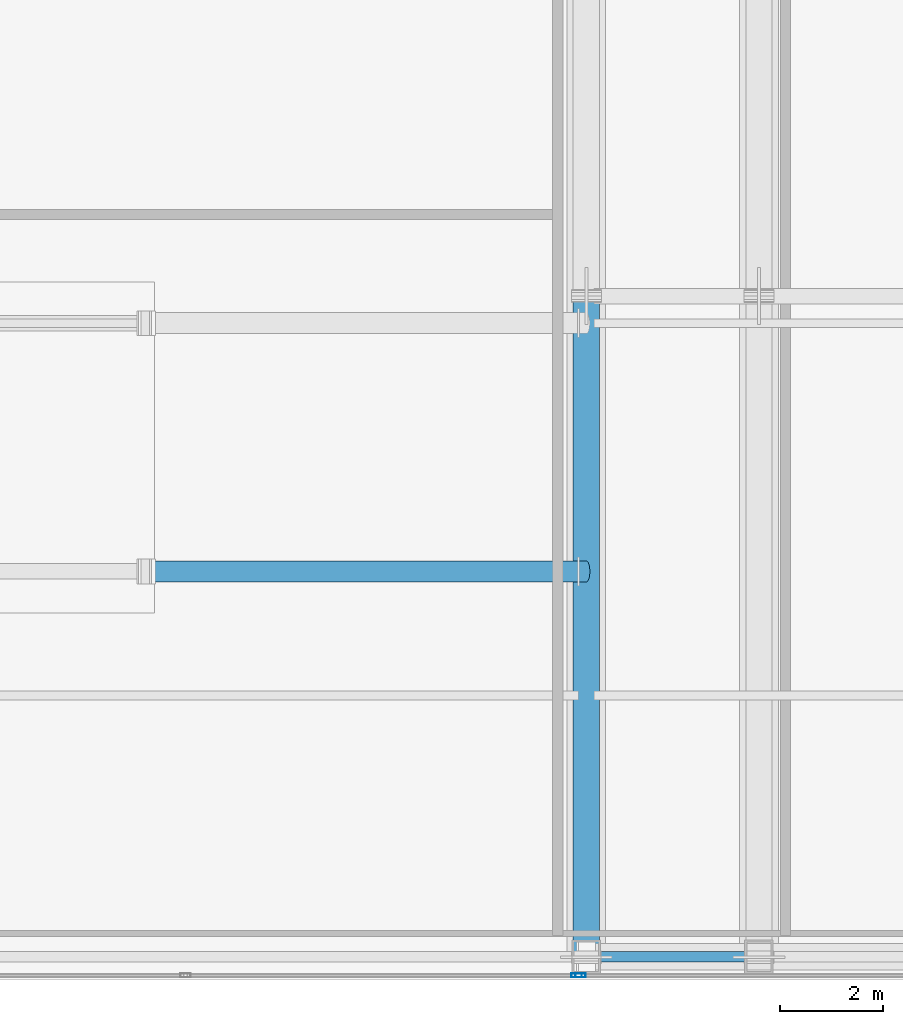
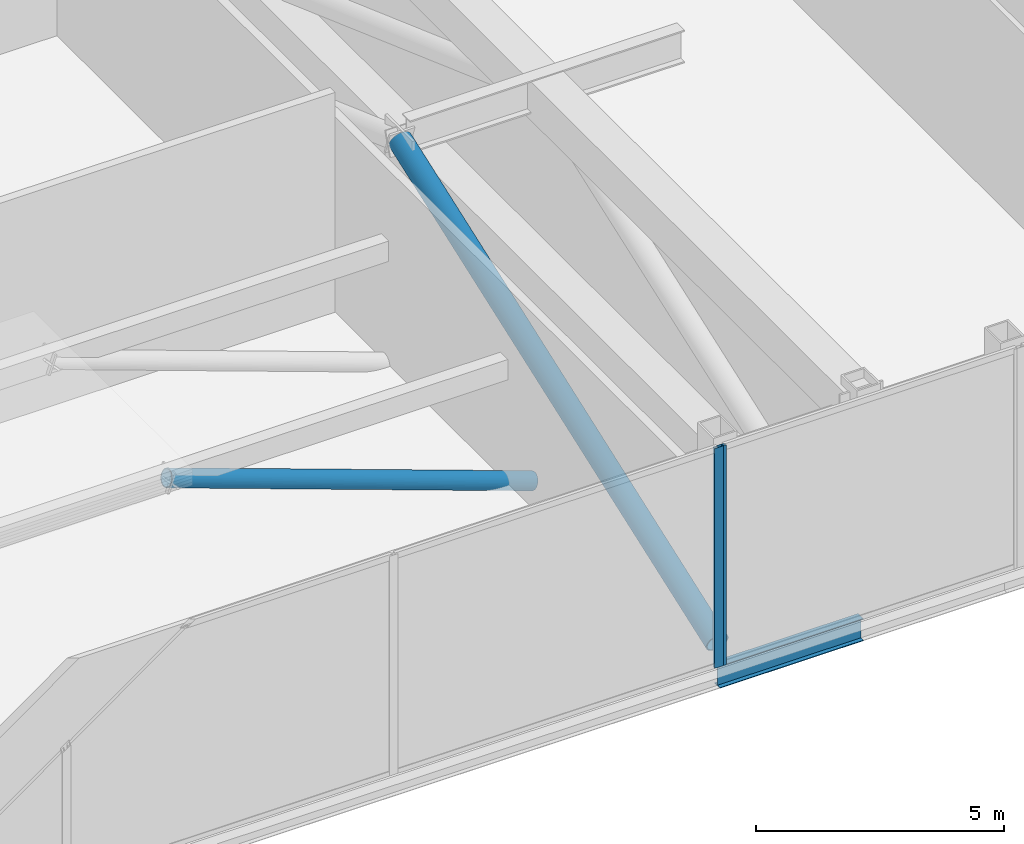
# One storey, part 12 of 26: 4 members, 1 beam, 2 elements without a shape of their own.
"""IFC4 building model written with IfcOpenShell, lengths in metres."""

from ifc_helpers import new_model, si_unit, direction, frame, origin, origin_2d, place, context, subcontext, project, spatial, hollow_rectangle, hollow_circle, i_section, extrude, material, material_profile, profile_set, type_object, element, aggregate, save


model = new_model("IFC4")

# Units and contexts
model_context = context("Model", 3, precision=1e-05, world=origin(), true_north=direction((0.0, 1.0)))
body_context = subcontext(model_context, "Body", "Model", "MODEL_VIEW")
ifc_project = project(units=[si_unit("LENGTHUNIT", "METRE"), si_unit("AREAUNIT", "SQUARE_METRE"), si_unit("VOLUMEUNIT", "CUBIC_METRE"), si_unit("PLANEANGLEUNIT", "RADIAN"), si_unit("MASSUNIT", "GRAM", prefix="KILO")], contexts=[model_context])

# Site, building, storey
site_placement = place(None, origin())
site = spatial("IfcSite", under=ifc_project, at=site_placement, CompositionType="ELEMENT")
building_placement = place(site_placement, origin())
building = spatial("IfcBuilding", under=site, at=building_placement, Name="Khoronbel Lancet Exchange", CompositionType="ELEMENT")
storey_placement = place(building_placement, frame((0.0, 0.0, 350.60009765625)))
storey = spatial("IfcBuildingStorey", under=building, at=storey_placement, Name="L91", CompositionType="ELEMENT", Elevation=350.60009765625)

# Beam
ifc_material_1 = material(Name="Steel S355", Category="steel")
ifc_material_profile_1 = material_profile(ifc_material_1, i_section(OverallWidth=0.2099609375, OverallDepth=0.550048828125, WebThickness=0.010986328125, FlangeThickness=0.01708984375, at=origin_2d()), Name="IPE 550")
ifc_profile_set_1 = profile_set([ifc_material_profile_1], Name="Steel S355")
beam_type = type_object("IfcBeamType", Name="BM-BSP3", PredefinedType="SPANDREL", material=ifc_profile_set_1)
beam_placement = place(storey_placement, frame((48.0, 10.14990234375, -0.4951171875), z_axis=(1.0, 0.0, 0.0), x_axis=(0.0, 1.0, 0.0)))
element("IfcBeam", 1, at=beam_placement, inside=storey, type_object=beam_type, Name="Level L91 perimeter spandrel beam SP05", PredefinedType="SPANDREL", context=body_context, shape_type="SweptSolid", body=[
    extrude(i_section(OverallWidth=0.2099609375, OverallDepth=0.550048828125, WebThickness=0.010986328125, FlangeThickness=0.01708984375, at=origin_2d()), origin(), (0.0, 0.0, 1.0), 3.33740234375),
])

# Curtain wall, member
ifc_material_2 = material(Name="Low-E Solar Control Insulating Glass", Category="glass")
curtain_wall_type = type_object("IfcCurtainWallType", Name="CW-6", PredefinedType="NOTDEFINED", material=ifc_material_2)
curtain_wall_1_placement = place(storey_placement, origin())
curtain_wall_1 = element("IfcCurtainWall", 2, at=curtain_wall_1_placement, inside=storey, type_object=curtain_wall_type, Name="Unitised curtain wall CW-L91-SC-TMD", PredefinedType="NOTDEFINED")
ifc_material_3 = material(Name="Bronze-Anodised Aluminium 6063-T6", Category="aluminium")
ifc_material_profile_2 = material_profile(ifc_material_3, hollow_rectangle(XDim=0.074951171875, YDim=0.199951171875, WallThickness=0.0048828125, at=origin_2d()), Name="ALU MULLION 75x200")
ifc_profile_set_2 = profile_set([ifc_material_profile_2], Name="Bronze-Anodised Aluminium 6063-T6")
member_type_1 = type_object("IfcMemberType", Name="MEM-CWM2", PredefinedType="MULLION", material=ifc_profile_set_2)
member_1_placement = place(storey_placement, frame((47.8125, 9.7900390625, 0.0), z_axis=(0.0, 0.0, 1.0), x_axis=(0.0, 1.0, 0.0)))
member_1 = element("IfcMember", 3, at=member_1_placement, type_object=member_type_1, Name="CW6 mullion 4", PredefinedType="MULLION", context=body_context, shape_type="SweptSolid", body=[
    extrude(hollow_rectangle(XDim=0.074951171875, YDim=0.199951171875, WallThickness=0.0048828125, at=origin_2d()), origin(), (0.0, 0.0, 1.0), 5.39990234375),
])
aggregate(curtain_wall_1, [member_1])

curtain_wall_2_placement = place(storey_placement, origin())
curtain_wall_2 = element("IfcCurtainWall", 4, at=curtain_wall_2_placement, inside=storey, type_object=curtain_wall_type, Name="Unitised curtain wall CW-L91-SE-BLT", PredefinedType="NOTDEFINED")
member_2_placement = place(storey_placement, frame((47.887451171875, 9.7900390625, 0.0), z_axis=(0.0, 0.0, 1.0), x_axis=(0.0, 1.0, 0.0)))
member_2 = element("IfcMember", 5, at=member_2_placement, type_object=member_type_1, Name="CW6 mullion 1", PredefinedType="MULLION", context=body_context, shape_type="SweptSolid", body=[
    extrude(hollow_rectangle(XDim=0.074951171875, YDim=0.199951171875, WallThickness=0.0048828125, at=origin_2d()), origin(), (0.0, 0.0, 1.0), 5.39990234375),
])
aggregate(curtain_wall_2, [member_2])

# Members
ifc_material_4 = material(Name="Steel S460", Category="steel")
ifc_material_profile_3 = material_profile(ifc_material_4, hollow_circle(Radius=0.25390625, WallThickness=0.02490234375, at=origin_2d()), Name="CHS 508x25")
ifc_profile_set_3 = profile_set([ifc_material_profile_3], Name="Steel S460")
member_type_2 = type_object("IfcMemberType", Name="MEM-OBR2", PredefinedType="BRACE", material=ifc_profile_set_3)
member_3_placement = place(storey_placement, frame((48.0, 10.14990234375, 0.2998046875), z_axis=(0.0, 0.940862883664, 0.338787594435), x_axis=(-1.0, 0.0, 0.0)))
element("IfcMember", 6, at=member_3_placement, inside=storey, type_object=member_type_2, Name="Outrigger truss diagonal L91-3-1", PredefinedType="BRACE", context=body_context, shape_type="SweptSolid", body=[
    extrude(hollow_circle(Radius=0.25390625, WallThickness=0.02490234375, at=origin_2d()), origin(), (0.0, 0.0, 1.0), 13.578125),
])
ifc_material_profile_4 = material_profile(ifc_material_1, hollow_circle(Radius=0.203125, WallThickness=0.02001953125, at=origin_2d()), Name="CHS 406.4x20")
ifc_profile_set_4 = profile_set([ifc_material_profile_4], Name="Steel S355")
member_type_3 = type_object("IfcMemberType", Name="MEM-STR2", PredefinedType="STRUT", material=ifc_profile_set_4)
member_4_placement = place(storey_placement, frame((48.0, 17.60009765625, -0.25), z_axis=(-0.941246682477, 0.0, 0.337719828743), x_axis=(0.0, -1.0, 0.0)))
element("IfcMember", 7, at=member_4_placement, inside=storey, type_object=member_type_3, Name="Tuned mass damper viscous restraint strut 2", PredefinedType="STRUT", context=body_context, shape_type="SweptSolid", body=[
    extrude(hollow_circle(Radius=0.203125, WallThickness=0.02001953125, at=origin_2d()), origin(), (0.0, 0.0, 1.0), 9.030517578125),
])

save(model, "model.ifc")
